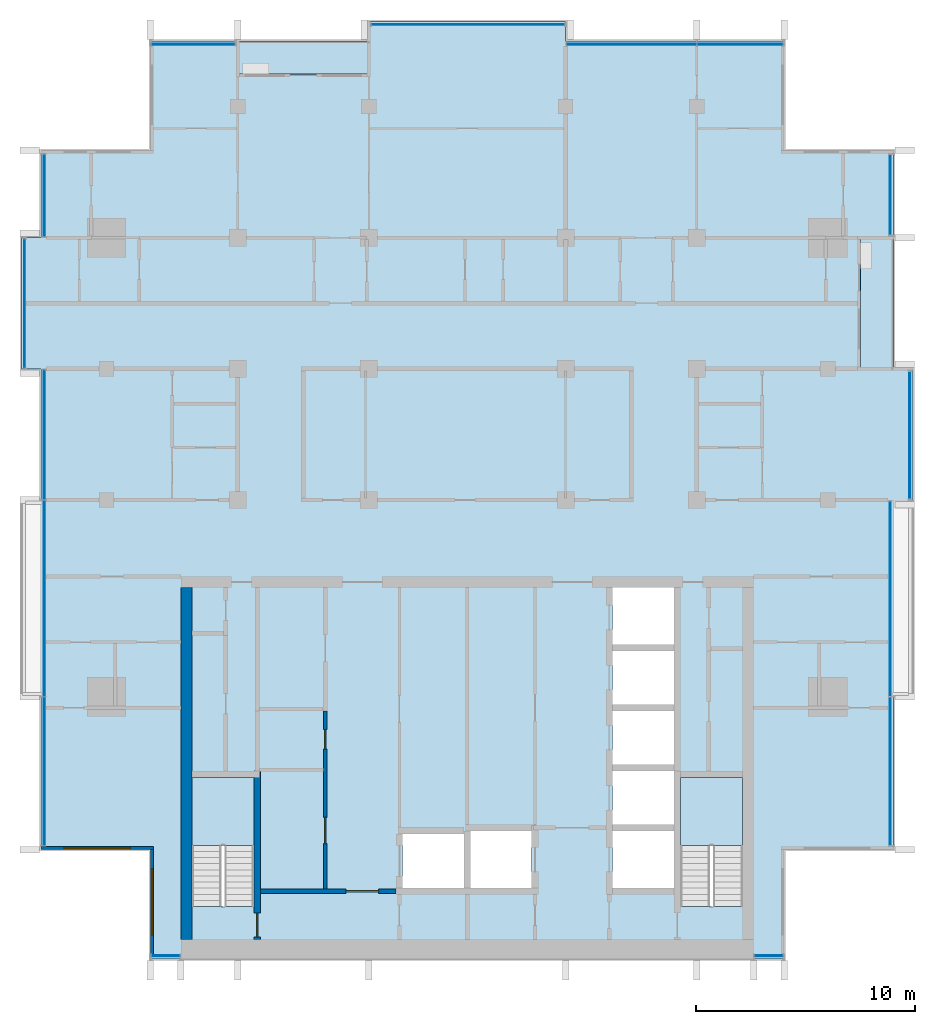
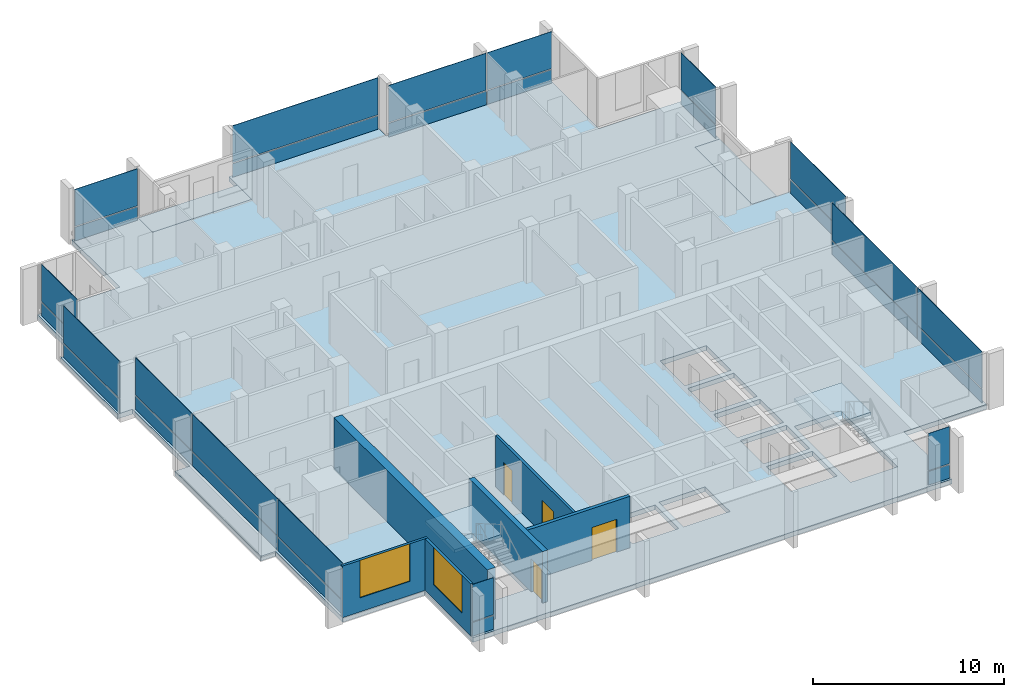
# One storey, part 6 of 16: 30 plates, 6 walls, 5 slabs, 4 doors, 2 windows, 6 openings, 13 elements without a shape of their own.
"""IFC4 building model written with IfcOpenShell, lengths in metres."""

from ifc_helpers import new_model, si_unit, direction, frame, frame_2d, origin, origin_2d, place, context, subcontext, project, spatial, polyline, rectangle, outline, extrude, material, layer, layer_set, type_object, element, fill, aggregate, save


model = new_model("IFC4")

# Units and contexts
model_context = context("Model", 3, precision=1e-05, world=origin(), true_north=direction((0.0, 1.0)))
body_context = subcontext(model_context, "Body", "Model", "MODEL_VIEW")
ifc_project = project(units=[si_unit("LENGTHUNIT", "METRE"), si_unit("AREAUNIT", "SQUARE_METRE"), si_unit("VOLUMEUNIT", "CUBIC_METRE"), si_unit("PLANEANGLEUNIT", "RADIAN"), si_unit("MASSUNIT", "GRAM", prefix="KILO")], contexts=[model_context])

# Site, building, storey
site_placement = place(None, origin())
site = spatial("IfcSite", under=ifc_project, at=site_placement, CompositionType="ELEMENT")
building_placement = place(site_placement, origin())
building = spatial("IfcBuilding", under=site, at=building_placement, Name="Finial Court Residences", CompositionType="ELEMENT")
storey_placement = place(building_placement, frame((0.0, 0.0, 280.699951171875)))
storey = spatial("IfcBuildingStorey", under=building, at=storey_placement, Name="L71", CompositionType="ELEMENT", Elevation=280.699951171875)

# Slabs
ifc_material_1 = material(Name="Concrete C35/45", Category="concrete")
ifc_layer_1 = layer(ifc_material_1, 0.199951171875)
ifc_layer_set_1 = layer_set([ifc_layer_1], Name="Balcony slab, Concrete C35/45 200")
slab_type_1 = type_object("IfcSlabType", Name="Balcony slab, Concrete C35/45 200", PredefinedType="FLOOR", material=ifc_layer_set_1)
slab_1_placement = place(storey_placement, frame((0.0, 0.0, -0.199951171875)))
element("IfcSlab", 1, at=slab_1_placement, inside=storey, type_object=slab_type_1, Name="Balcony L71-N2", PredefinedType="FLOOR", context=body_context, shape_type="SweptSolid", body=[
    extrude(outline(polyline([(-4.5, 15.0), (-4.5, 16.5), (-10.5, 16.5), (-10.5, 15.0), (-4.5, 15.0)])), origin(), (0.0, 0.0, 1.0), 0.199951171875),
])
slab_2_placement = place(storey_placement, frame((0.0, 0.0, -0.199951171875)))
element("IfcSlab", 2, at=slab_2_placement, inside=storey, type_object=slab_type_1, Name="Balcony L71-E4", PredefinedType="FLOOR", context=body_context, shape_type="SweptSolid", body=[
    extrude(outline(polyline([(19.5, 1.5), (19.5, 7.5), (18.0, 7.5), (18.0, 1.5), (19.5, 1.5)])), origin(), (0.0, 0.0, 1.0), 0.199951171875),
])

# Curtain wall, plate
ifc_material_2 = material(Name="Bronze anodised aluminium", Category="aluminium")
curtain_wall_type = type_object("IfcCurtainWallType", Name="Unitised curtain wall, upper zones", PredefinedType="NOTDEFINED", material=ifc_material_2)
curtain_wall_1_placement = place(storey_placement, origin())
curtain_wall_1 = element("IfcCurtainWall", 3, at=curtain_wall_1_placement, inside=storey, type_object=curtain_wall_type, Name="E-L71-CW-N1", PredefinedType="NOTDEFINED")
ifc_layer_2 = layer(ifc_material_2, 0.035888671875)
ifc_layer_set_2 = layer_set([ifc_layer_2], Name="CW2 spandrel panel 36")
plate_type_1 = type_object("IfcPlateType", Name="CW2 spandrel panel 36", PredefinedType="CURTAIN_PANEL", material=ifc_layer_set_2)
plate_1_placement = place(storey_placement, frame((-12.53759765625, 16.35009765625, 0.0), z_axis=(0.0, 0.0, 1.0), x_axis=(1.0, 0.0, 0.0)))
plate_1 = element("IfcPlate", 4, at=plate_1_placement, type_object=plate_type_1, Name="CW2 spandrel 1.1", PredefinedType="CURTAIN_PANEL", context=body_context, shape_type="SweptSolid", body=[
    extrude(rectangle(XDim=3.804931640625, YDim=0.035888671875, at=origin_2d()), origin(), (0.0, 0.0, 1.0), 0.8701171875),
])

curtain_wall_2_placement = place(storey_placement, origin())
curtain_wall_2 = element("IfcCurtainWall", 5, at=curtain_wall_2_placement, inside=storey, type_object=curtain_wall_type, Name="E-L71-CW-N2", PredefinedType="NOTDEFINED")
plate_2_placement = place(storey_placement, frame((0.03759765625, 17.25, 0.0), z_axis=(0.0, 0.0, 1.0), x_axis=(1.0, 0.0, 0.0)))
plate_2 = element("IfcPlate", 6, at=plate_2_placement, type_object=plate_type_1, Name="CW2 spandrel 1.1", PredefinedType="CURTAIN_PANEL", context=body_context, shape_type="SweptSolid", body=[
    extrude(rectangle(XDim=8.804931640625, YDim=0.035888671875, at=origin_2d()), origin(), (0.0, 0.0, 1.0), 0.8701171875),
])

# Curtain wall, plates
curtain_wall_3_placement = place(storey_placement, origin())
curtain_wall_3 = element("IfcCurtainWall", 7, at=curtain_wall_3_placement, inside=storey, type_object=curtain_wall_type, Name="E-L71-CW-N3", PredefinedType="NOTDEFINED")
plate_3_placement = place(storey_placement, frame((7.514892578125, 16.35009765625, 0.0), z_axis=(0.0, 0.0, 1.0), x_axis=(1.0, 0.0, 0.0)))
plate_3 = element("IfcPlate", 8, at=plate_3_placement, type_object=plate_type_1, Name="CW2 spandrel 1.1", PredefinedType="CURTAIN_PANEL", context=body_context, shape_type="SweptSolid", body=[
    extrude(rectangle(XDim=5.909912109375, YDim=0.035888671875, at=origin_2d()), origin(), (0.0, 0.0, 1.0), 0.8701171875),
])
plate_4_placement = place(storey_placement, frame((12.485107421875, 16.35009765625, 0.0), z_axis=(0.0, 0.0, 1.0), x_axis=(1.0, 0.0, 0.0)))
plate_4 = element("IfcPlate", 9, at=plate_4_placement, type_object=plate_type_1, Name="CW2 spandrel 2.1", PredefinedType="CURTAIN_PANEL", context=body_context, shape_type="SweptSolid", body=[
    extrude(rectangle(XDim=3.909912109375, YDim=0.035888671875, at=origin_2d()), origin(), (0.0, 0.0, 1.0), 0.8701171875),
])

curtain_wall_4_placement = place(storey_placement, origin())
curtain_wall_4 = element("IfcCurtainWall", 10, at=curtain_wall_4_placement, inside=storey, type_object=curtain_wall_type, Name="E-L71-CW-E4", PredefinedType="NOTDEFINED")
plate_5_placement = place(storey_placement, frame((19.35009765625, -16.909912109375, 0.0), z_axis=(0.0, 0.0, 1.0), x_axis=(0.0, 1.0, 0.0)))
plate_5 = element("IfcPlate", 11, at=plate_5_placement, type_object=plate_type_1, Name="CW2 spandrel 1.1", PredefinedType="CURTAIN_PANEL", context=body_context, shape_type="SweptSolid", body=[
    extrude(rectangle(XDim=6.760009765625, YDim=0.035888671875, at=origin_2d()), origin(), (0.0, 0.0, 1.0), 0.8701171875),
])
plate_6_placement = place(storey_placement, frame((19.35009765625, -9.014892578125, 0.0), z_axis=(0.0, 0.0, 1.0), x_axis=(0.0, 1.0, 0.0)))
plate_6 = element("IfcPlate", 12, at=plate_6_placement, type_object=plate_type_1, Name="CW2 spandrel 2.1", PredefinedType="CURTAIN_PANEL", context=body_context, shape_type="SweptSolid", body=[
    extrude(rectangle(XDim=8.909912109375, YDim=0.035888671875, at=origin_2d()), origin(), (0.0, 0.0, 1.0), 0.8701171875),
])

# Curtain wall, plate
curtain_wall_5_placement = place(storey_placement, origin())
curtain_wall_5 = element("IfcCurtainWall", 13, at=curtain_wall_5_placement, inside=storey, type_object=curtain_wall_type, Name="E-L71-CW-E5", PredefinedType="NOTDEFINED")
plate_7_placement = place(storey_placement, frame((20.25, -1.53759765625, 0.0), z_axis=(0.0, 0.0, 1.0), x_axis=(0.0, 1.0, 0.0)))
plate_7 = element("IfcPlate", 14, at=plate_7_placement, type_object=plate_type_1, Name="CW2 spandrel 1.1", PredefinedType="CURTAIN_PANEL", context=body_context, shape_type="SweptSolid", body=[
    extrude(rectangle(XDim=5.804931640625, YDim=0.035888671875, at=origin_2d()), origin(), (0.0, 0.0, 1.0), 0.8701171875),
])

curtain_wall_6_placement = place(storey_placement, origin())
curtain_wall_6 = element("IfcCurtainWall", 15, at=curtain_wall_6_placement, inside=storey, type_object=curtain_wall_type, Name="E-L71-CW-E6", PredefinedType="NOTDEFINED")
plate_8_placement = place(storey_placement, frame((19.35009765625, 9.46240234375, 0.0), z_axis=(0.0, 0.0, 1.0), x_axis=(0.0, 1.0, 0.0)))
plate_8 = element("IfcPlate", 16, at=plate_8_placement, type_object=plate_type_1, Name="CW2 spandrel 1.1", PredefinedType="CURTAIN_PANEL", context=body_context, shape_type="SweptSolid", body=[
    extrude(rectangle(XDim=3.655029296875, YDim=0.035888671875, at=origin_2d()), origin(), (0.0, 0.0, 1.0), 0.8701171875),
])

curtain_wall_7_placement = place(storey_placement, origin())
curtain_wall_7 = element("IfcCurtainWall", 17, at=curtain_wall_7_placement, inside=storey, type_object=curtain_wall_type, Name="E-L71-CW-S7", PredefinedType="NOTDEFINED")
plate_9_placement = place(storey_placement, frame((-13.800048828125, -25.35009765625, 0.0), z_axis=(0.0, 0.0, 1.0), x_axis=(1.0, 0.0, 0.0)))
plate_9 = element("IfcPlate", 18, at=plate_9_placement, type_object=plate_type_1, Name="CW2 spandrel 1.1", PredefinedType="CURTAIN_PANEL", context=body_context, shape_type="SweptSolid", body=[
    extrude(rectangle(XDim=1.280029296875, YDim=0.035888671875, at=origin_2d()), origin(), (0.0, 0.0, 1.0), 0.8701171875),
])

curtain_wall_8_placement = place(storey_placement, origin())
curtain_wall_8 = element("IfcCurtainWall", 19, at=curtain_wall_8_placement, inside=storey, type_object=curtain_wall_type, Name="E-L71-CW-S8", PredefinedType="NOTDEFINED")
plate_10_placement = place(storey_placement, frame((13.800048828125, -25.35009765625, 0.0), z_axis=(0.0, 0.0, 1.0), x_axis=(1.0, 0.0, 0.0)))
plate_10 = element("IfcPlate", 20, at=plate_10_placement, type_object=plate_type_1, Name="CW2 spandrel 1.1", PredefinedType="CURTAIN_PANEL", context=body_context, shape_type="SweptSolid", body=[
    extrude(rectangle(XDim=1.280029296875, YDim=0.035888671875, at=origin_2d()), origin(), (0.0, 0.0, 1.0), 0.8701171875),
])

# Curtain wall, plates
curtain_wall_9_placement = place(storey_placement, origin())
curtain_wall_9 = element("IfcCurtainWall", 21, at=curtain_wall_9_placement, inside=storey, type_object=curtain_wall_type, Name="E-L71-CW-W9", PredefinedType="NOTDEFINED")
plate_11_placement = place(storey_placement, frame((-19.35009765625, -16.909912109375, 0.0), z_axis=(0.0, 0.0, 1.0), x_axis=(0.0, 1.0, 0.0)))
plate_11 = element("IfcPlate", 22, at=plate_11_placement, type_object=plate_type_1, Name="CW2 spandrel 1.1", PredefinedType="CURTAIN_PANEL", context=body_context, shape_type="SweptSolid", body=[
    extrude(rectangle(XDim=6.760009765625, YDim=0.035888671875, at=origin_2d()), origin(), (0.0, 0.0, 1.0), 0.8701171875),
])
plate_12_placement = place(storey_placement, frame((-19.35009765625, -9.0, 0.0), z_axis=(0.0, 0.0, 1.0), x_axis=(0.0, 1.0, 0.0)))
plate_12 = element("IfcPlate", 23, at=plate_12_placement, type_object=plate_type_1, Name="CW2 spandrel 2.1", PredefinedType="CURTAIN_PANEL", context=body_context, shape_type="SweptSolid", body=[
    extrude(rectangle(XDim=8.93994140625, YDim=0.035888671875, at=origin_2d()), origin(), (0.0, 0.0, 1.0), 0.8701171875),
])
plate_13_placement = place(storey_placement, frame((-19.35009765625, -1.514892578125, 0.0), z_axis=(0.0, 0.0, 1.0), x_axis=(0.0, 1.0, 0.0)))
plate_13 = element("IfcPlate", 24, at=plate_13_placement, type_object=plate_type_1, Name="CW2 spandrel 3.1", PredefinedType="CURTAIN_PANEL", context=body_context, shape_type="SweptSolid", body=[
    extrude(rectangle(XDim=5.909912109375, YDim=0.035888671875, at=origin_2d()), origin(), (0.0, 0.0, 1.0), 0.8701171875),
])

# Curtain wall, plate
curtain_wall_10_placement = place(storey_placement, origin())
curtain_wall_10 = element("IfcCurtainWall", 25, at=curtain_wall_10_placement, inside=storey, type_object=curtain_wall_type, Name="E-L71-CW-W10", PredefinedType="NOTDEFINED")
plate_14_placement = place(storey_placement, frame((-20.25, 4.5, 0.0), z_axis=(0.0, 0.0, 1.0), x_axis=(0.0, 1.0, 0.0)))
plate_14 = element("IfcPlate", 26, at=plate_14_placement, type_object=plate_type_1, Name="CW2 spandrel 1.1", PredefinedType="CURTAIN_PANEL", context=body_context, shape_type="SweptSolid", body=[
    extrude(rectangle(XDim=5.8798828125, YDim=0.035888671875, at=origin_2d()), origin(), (0.0, 0.0, 1.0), 0.8701171875),
])

curtain_wall_11_placement = place(storey_placement, origin())
curtain_wall_11 = element("IfcCurtainWall", 27, at=curtain_wall_11_placement, inside=storey, type_object=curtain_wall_type, Name="E-L71-CW-W11", PredefinedType="NOTDEFINED")
plate_15_placement = place(storey_placement, frame((-19.35009765625, 9.425048828125, 0.0), z_axis=(0.0, 0.0, 1.0), x_axis=(0.0, 1.0, 0.0)))
plate_15 = element("IfcPlate", 28, at=plate_15_placement, type_object=plate_type_1, Name="CW2 spandrel 1.1", PredefinedType="CURTAIN_PANEL", context=body_context, shape_type="SweptSolid", body=[
    extrude(rectangle(XDim=3.72998046875, YDim=0.035888671875, at=origin_2d()), origin(), (0.0, 0.0, 1.0), 0.8701171875),
])

# Plate
ifc_material_3 = material(Name="Clear low-e glass", Category="glass")
ifc_layer_3 = layer(ifc_material_3, 0.030029296875)
ifc_layer_set_3 = layer_set([ifc_layer_3], Name="CW2 vision glass 30")
plate_type_2 = type_object("IfcPlateType", Name="CW2 vision glass 30", PredefinedType="CURTAIN_PANEL", material=ifc_layer_set_3)
plate_16_placement = place(storey_placement, frame((-12.53759765625, 16.35009765625, 0.929931640625), z_axis=(0.0, 0.0, 1.0), x_axis=(1.0, 0.0, 0.0)))
plate_16 = element("IfcPlate", 29, at=plate_16_placement, type_object=plate_type_2, Name="CW2 glass 1.2", PredefinedType="CURTAIN_PANEL", context=body_context, shape_type="SweptSolid", body=[
    extrude(rectangle(XDim=3.804931640625, YDim=0.030029296875, at=origin_2d()), origin(), (0.0, 0.0, 1.0), 2.3701171875),
])

aggregate(curtain_wall_1, [plate_1, plate_16])

plate_17_placement = place(storey_placement, frame((0.03759765625, 17.25, 0.929931640625), z_axis=(0.0, 0.0, 1.0), x_axis=(1.0, 0.0, 0.0)))
plate_17 = element("IfcPlate", 30, at=plate_17_placement, type_object=plate_type_2, Name="CW2 glass 1.2", PredefinedType="CURTAIN_PANEL", context=body_context, shape_type="SweptSolid", body=[
    extrude(rectangle(XDim=8.804931640625, YDim=0.030029296875, at=origin_2d()), origin(), (0.0, 0.0, 1.0), 2.3701171875),
])

aggregate(curtain_wall_2, [plate_2, plate_17])

plate_18_placement = place(storey_placement, frame((7.514892578125, 16.35009765625, 0.929931640625), z_axis=(0.0, 0.0, 1.0), x_axis=(1.0, 0.0, 0.0)))
plate_18 = element("IfcPlate", 31, at=plate_18_placement, type_object=plate_type_2, Name="CW2 glass 1.2", PredefinedType="CURTAIN_PANEL", context=body_context, shape_type="SweptSolid", body=[
    extrude(rectangle(XDim=5.909912109375, YDim=0.030029296875, at=origin_2d()), origin(), (0.0, 0.0, 1.0), 2.3701171875),
])

plate_19_placement = place(storey_placement, frame((12.485107421875, 16.35009765625, 0.929931640625), z_axis=(0.0, 0.0, 1.0), x_axis=(1.0, 0.0, 0.0)))
plate_19 = element("IfcPlate", 32, at=plate_19_placement, type_object=plate_type_2, Name="CW2 glass 2.2", PredefinedType="CURTAIN_PANEL", context=body_context, shape_type="SweptSolid", body=[
    extrude(rectangle(XDim=3.909912109375, YDim=0.030029296875, at=origin_2d()), origin(), (0.0, 0.0, 1.0), 2.3701171875),
])

aggregate(curtain_wall_3, [plate_3, plate_18, plate_4, plate_19])

plate_20_placement = place(storey_placement, frame((19.35009765625, -16.909912109375, 0.929931640625), z_axis=(0.0, 0.0, 1.0), x_axis=(0.0, 1.0, 0.0)))
plate_20 = element("IfcPlate", 33, at=plate_20_placement, type_object=plate_type_2, Name="CW2 glass 1.2", PredefinedType="CURTAIN_PANEL", context=body_context, shape_type="SweptSolid", body=[
    extrude(rectangle(XDim=6.760009765625, YDim=0.030029296875, at=origin_2d()), origin(), (0.0, 0.0, 1.0), 2.3701171875),
])

plate_21_placement = place(storey_placement, frame((19.35009765625, -9.014892578125, 0.929931640625), z_axis=(0.0, 0.0, 1.0), x_axis=(0.0, 1.0, 0.0)))
plate_21 = element("IfcPlate", 34, at=plate_21_placement, type_object=plate_type_2, Name="CW2 glass 2.2", PredefinedType="CURTAIN_PANEL", context=body_context, shape_type="SweptSolid", body=[
    extrude(rectangle(XDim=8.909912109375, YDim=0.030029296875, at=origin_2d()), origin(), (0.0, 0.0, 1.0), 2.3701171875),
])

aggregate(curtain_wall_4, [plate_5, plate_20, plate_6, plate_21])

plate_22_placement = place(storey_placement, frame((20.25, -1.53759765625, 0.929931640625), z_axis=(0.0, 0.0, 1.0), x_axis=(0.0, 1.0, 0.0)))
plate_22 = element("IfcPlate", 35, at=plate_22_placement, type_object=plate_type_2, Name="CW2 glass 1.2", PredefinedType="CURTAIN_PANEL", context=body_context, shape_type="SweptSolid", body=[
    extrude(rectangle(XDim=5.804931640625, YDim=0.030029296875, at=origin_2d()), origin(), (0.0, 0.0, 1.0), 2.3701171875),
])

aggregate(curtain_wall_5, [plate_7, plate_22])

plate_23_placement = place(storey_placement, frame((19.35009765625, 9.46240234375, 0.929931640625), z_axis=(0.0, 0.0, 1.0), x_axis=(0.0, 1.0, 0.0)))
plate_23 = element("IfcPlate", 36, at=plate_23_placement, type_object=plate_type_2, Name="CW2 glass 1.2", PredefinedType="CURTAIN_PANEL", context=body_context, shape_type="SweptSolid", body=[
    extrude(rectangle(XDim=3.655029296875, YDim=0.030029296875, at=origin_2d()), origin(), (0.0, 0.0, 1.0), 2.3701171875),
])

aggregate(curtain_wall_6, [plate_8, plate_23])

plate_24_placement = place(storey_placement, frame((-13.800048828125, -25.35009765625, 0.929931640625), z_axis=(0.0, 0.0, 1.0), x_axis=(1.0, 0.0, 0.0)))
plate_24 = element("IfcPlate", 37, at=plate_24_placement, type_object=plate_type_2, Name="CW2 glass 1.2", PredefinedType="CURTAIN_PANEL", context=body_context, shape_type="SweptSolid", body=[
    extrude(rectangle(XDim=1.280029296875, YDim=0.030029296875, at=origin_2d()), origin(), (0.0, 0.0, 1.0), 2.3701171875),
])

aggregate(curtain_wall_7, [plate_9, plate_24])

plate_25_placement = place(storey_placement, frame((13.800048828125, -25.35009765625, 0.929931640625), z_axis=(0.0, 0.0, 1.0), x_axis=(1.0, 0.0, 0.0)))
plate_25 = element("IfcPlate", 38, at=plate_25_placement, type_object=plate_type_2, Name="CW2 glass 1.2", PredefinedType="CURTAIN_PANEL", context=body_context, shape_type="SweptSolid", body=[
    extrude(rectangle(XDim=1.280029296875, YDim=0.030029296875, at=origin_2d()), origin(), (0.0, 0.0, 1.0), 2.3701171875),
])

aggregate(curtain_wall_8, [plate_10, plate_25])

plate_26_placement = place(storey_placement, frame((-19.35009765625, -16.909912109375, 0.929931640625), z_axis=(0.0, 0.0, 1.0), x_axis=(0.0, 1.0, 0.0)))
plate_26 = element("IfcPlate", 39, at=plate_26_placement, type_object=plate_type_2, Name="CW2 glass 1.2", PredefinedType="CURTAIN_PANEL", context=body_context, shape_type="SweptSolid", body=[
    extrude(rectangle(XDim=6.760009765625, YDim=0.030029296875, at=origin_2d()), origin(), (0.0, 0.0, 1.0), 2.3701171875),
])

plate_27_placement = place(storey_placement, frame((-19.35009765625, -9.0, 0.929931640625), z_axis=(0.0, 0.0, 1.0), x_axis=(0.0, 1.0, 0.0)))
plate_27 = element("IfcPlate", 40, at=plate_27_placement, type_object=plate_type_2, Name="CW2 glass 2.2", PredefinedType="CURTAIN_PANEL", context=body_context, shape_type="SweptSolid", body=[
    extrude(rectangle(XDim=8.93994140625, YDim=0.030029296875, at=origin_2d()), origin(), (0.0, 0.0, 1.0), 2.3701171875),
])

plate_28_placement = place(storey_placement, frame((-19.35009765625, -1.514892578125, 0.929931640625), z_axis=(0.0, 0.0, 1.0), x_axis=(0.0, 1.0, 0.0)))
plate_28 = element("IfcPlate", 41, at=plate_28_placement, type_object=plate_type_2, Name="CW2 glass 3.2", PredefinedType="CURTAIN_PANEL", context=body_context, shape_type="SweptSolid", body=[
    extrude(rectangle(XDim=5.909912109375, YDim=0.030029296875, at=origin_2d()), origin(), (0.0, 0.0, 1.0), 2.3701171875),
])

aggregate(curtain_wall_9, [plate_11, plate_26, plate_12, plate_27, plate_13, plate_28])

plate_29_placement = place(storey_placement, frame((-20.25, 4.5, 0.929931640625), z_axis=(0.0, 0.0, 1.0), x_axis=(0.0, 1.0, 0.0)))
plate_29 = element("IfcPlate", 42, at=plate_29_placement, type_object=plate_type_2, Name="CW2 glass 1.2", PredefinedType="CURTAIN_PANEL", context=body_context, shape_type="SweptSolid", body=[
    extrude(rectangle(XDim=5.8798828125, YDim=0.030029296875, at=origin_2d()), origin(), (0.0, 0.0, 1.0), 2.3701171875),
])

aggregate(curtain_wall_10, [plate_14, plate_29])

plate_30_placement = place(storey_placement, frame((-19.35009765625, 9.425048828125, 0.929931640625), z_axis=(0.0, 0.0, 1.0), x_axis=(0.0, 1.0, 0.0)))
plate_30 = element("IfcPlate", 43, at=plate_30_placement, type_object=plate_type_2, Name="CW2 glass 1.2", PredefinedType="CURTAIN_PANEL", context=body_context, shape_type="SweptSolid", body=[
    extrude(rectangle(XDim=3.72998046875, YDim=0.030029296875, at=origin_2d()), origin(), (0.0, 0.0, 1.0), 2.3701171875),
])

aggregate(curtain_wall_11, [plate_15, plate_30])

# Stair, slab
ifc_material_4 = material(Name="Concrete C50/60", Category="concrete")
stair_type = type_object("IfcStairType", Name="Exit stair 22 risers of 163.6 mm", PredefinedType="HALF_TURN_STAIR", material=ifc_material_4)
stair_1_placement = place(storey_placement, origin())
stair_1 = element("IfcStair", 44, at=stair_1_placement, inside=storey, type_object=stair_type, Name="L71 Exit stair ST-1", PredefinedType="HALF_TURN_STAIR")
ifc_layer_4 = layer(ifc_material_4, 0.199951171875)
ifc_layer_set_4 = layer_set([ifc_layer_4], Name="Exit stair landing")
slab_type_2 = type_object("IfcSlabType", Name="Exit stair landing", PredefinedType="LANDING", material=ifc_layer_set_4)
slab_3_placement = place(storey_placement, frame((0.0, 0.0, 1.60009765625)))
slab_3 = element("IfcSlab", 45, at=slab_3_placement, type_object=slab_type_2, Name="ST-1 landing 1", PredefinedType="LANDING", context=body_context, shape_type="SweptSolid", body=[
    extrude(outline(polyline([(-9.75, -20.300048828125), (-9.75, -17.199951171875), (-12.60009765625, -17.199951171875), (-12.60009765625, -20.300048828125), (-9.75, -20.300048828125)])), origin(), (0.0, 0.0, 1.0), 0.199951171875),
])
aggregate(stair_1, [slab_3])

stair_2_placement = place(storey_placement, origin())
stair_2 = element("IfcStair", 46, at=stair_2_placement, inside=storey, type_object=stair_type, Name="L71 Exit stair ST-2", PredefinedType="HALF_TURN_STAIR")
slab_4_placement = place(storey_placement, frame((0.0, 0.0, 1.60009765625)))
slab_4 = element("IfcSlab", 47, at=slab_4_placement, type_object=slab_type_2, Name="ST-2 landing 1", PredefinedType="LANDING", context=body_context, shape_type="SweptSolid", body=[
    extrude(outline(polyline([(12.60009765625, -20.300048828125), (12.60009765625, -17.199951171875), (9.75, -17.199951171875), (9.75, -20.300048828125), (12.60009765625, -20.300048828125)])), origin(), (0.0, 0.0, 1.0), 0.199951171875),
])
aggregate(stair_2, [slab_4])

# Slab
ifc_material_5 = material(Name="Concrete C40/50", Category="concrete")
ifc_layer_5 = layer(ifc_material_5, 0.300048828125)
ifc_layer_set_5 = layer_set([ifc_layer_5], Name="Flat plate slab 300 Concrete C40/50")
slab_type_3 = type_object("IfcSlabType", Name="Flat plate slab 300 Concrete C40/50", PredefinedType="FLOOR", material=ifc_layer_set_5)
slab_5_placement = place(storey_placement, frame((0.0, 0.0, -0.300048828125)))
element("IfcSlab", 48, at=slab_5_placement, inside=storey, type_object=slab_type_3, Name="S:SLAB:L71", PredefinedType="FLOOR", context=body_context, shape_type="SweptSolid", body=[
    extrude(outline(polyline([(-20.39990234375, -13.5), (-20.39990234375, -4.5), (-19.5, -4.5), (-19.5, 1.5), (-20.39990234375, 1.5), (-20.39990234375, 7.5), (-19.5, 7.5), (-19.5, 11.5), (-14.5, 11.5), (-14.5, 16.5), (-10.5, 16.5), (-10.5, 15.0), (-4.5, 15.0), (-4.5, 16.5), (-4.5, 17.39990234375), (4.5, 17.39990234375), (4.5, 16.5), (14.5, 16.5), (14.5, 11.5), (19.5, 11.5), (19.5, 7.5), (18.0, 7.5), (18.0, 1.5), (19.5, 1.5), (20.39990234375, 1.5), (20.39990234375, -4.5), (20.39990234375, -13.5), (19.5, -13.5), (19.5, -20.5), (14.5, -20.5), (14.5, -25.5), (-14.5, -25.5), (-14.5, -20.5), (-19.5, -20.5), (-19.5, -13.5), (-20.39990234375, -13.5)]), holes=[polyline([(-0.14990234375, -19.77001953125), (-2.949951171875, -19.77001953125), (-2.949951171875, -22.25), (-0.14990234375, -22.25), (-0.14990234375, -19.77001953125)]), polyline([(2.949951171875, -19.64990234375), (0.14990234375, -19.64990234375), (0.14990234375, -22.25), (2.949951171875, -22.25), (2.949951171875, -19.64990234375)]), polyline([(9.449951171875, -19.64990234375), (6.64990234375, -19.64990234375), (6.64990234375, -22.25), (9.449951171875, -22.25), (9.449951171875, -19.64990234375)]), polyline([(-12.60009765625, -17.199951171875), (-12.60009765625, -23.09912109375), (-9.75, -23.09912109375), (-9.75, -17.199951171875), (-12.60009765625, -17.199951171875)]), polyline([(9.75, -17.199951171875), (9.75, -23.09912109375), (12.60009765625, -23.09912109375), (12.60009765625, -17.199951171875), (9.75, -17.199951171875)]), polyline([(9.449951171875, -16.89990234375), (6.64990234375, -16.89990234375), (6.64990234375, -19.35009765625), (9.449951171875, -19.35009765625), (9.449951171875, -16.89990234375)]), polyline([(9.449951171875, -14.14990234375), (6.64990234375, -14.14990234375), (6.64990234375, -16.60009765625), (9.449951171875, -16.60009765625), (9.449951171875, -14.14990234375)]), polyline([(9.449951171875, -13.85009765625), (9.449951171875, -11.39990234375), (6.64990234375, -11.39990234375), (6.64990234375, -13.85009765625), (9.449951171875, -13.85009765625)]), polyline([(9.449951171875, -11.10009765625), (9.449951171875, -8.5), (6.64990234375, -8.5), (6.64990234375, -11.10009765625), (9.449951171875, -11.10009765625)])]), origin(), (0.0, 0.0, 1.0), 0.300048828125),
])

# Wall
ifc_layer_6 = layer(ifc_material_4, 0.5)
ifc_layer_set_6 = layer_set([ifc_layer_6], Name="Core outer wall 500 Concrete C50/60")
wall_type_1 = type_object("IfcWallType", Name="Core outer wall 500 Concrete C50/60", PredefinedType="SHEAR", material=ifc_layer_set_6)
wall_1_placement = place(storey_placement, frame((-12.85009765625, -24.60009765625, 0.0), z_axis=(0.0, 0.0, 1.0), x_axis=(0.0, 1.0, 0.0)))
element("IfcWall", 49, at=wall_1_placement, inside=storey, type_object=wall_type_1, Name="Core outer wall L71-03", PredefinedType="SHEAR", context=body_context, shape_type="SweptSolid", body=[
    extrude(rectangle(XDim=16.10009765625, YDim=0.5, at=frame_2d((8.050048828125, 0.0))), origin(), (0.0, 0.0, 1.0), 3.300048828125),
])

# Wall, openings, doors
ifc_material_6 = material(Name="Fire-rated gypsum board partition")
ifc_layer_7 = layer(ifc_material_6, 0.14990234375)
ifc_layer_set_7 = layer_set([ifc_layer_7], Name="Core room partition 150 EI 60")
wall_type_2 = type_object("IfcWallType", Name="Core room partition 150 EI 60", PredefinedType="PARTITIONING", material=ifc_layer_set_7)
wall_2_placement = place(storey_placement, frame((-6.5, -22.300048828125, 0.0), z_axis=(0.0, 0.0, 1.0), x_axis=(0.0, 1.0, 0.0)))
wall_2 = element("IfcWall", 50, at=wall_2_placement, inside=storey, type_object=wall_type_2, Name="Core partition L71-22", PredefinedType="PARTITIONING", context=body_context, shape_type="SweptSolid", body=[
    extrude(rectangle(XDim=8.14013671875, YDim=0.14990234375, at=frame_2d((4.070068359375, 0.0))), origin(), (0.0, 0.0, 1.0), 3.300048828125),
])
opening_1_placement = place(wall_2_placement, frame((2.080078125, 0.0, 0.0)))
opening_1 = element("IfcOpeningElement", 51, at=opening_1_placement, cuts=wall_2, Name="Opening L71-C15", PredefinedType="OPENING", context=body_context, shape_type="SweptSolid", body=[
    extrude(rectangle(XDim=1.199951171875, YDim=2.10009765625, at=frame_2d((0.60009765625, 1.050048828125))), frame((0.0, 0.0849609375, 0.0), z_axis=(0.0, -1.0, 0.0), x_axis=(1.0, 0.0, 0.0)), (0.0, 0.0, 1.0), 0.169921875),
])
opening_2_placement = place(wall_2_placement, frame((6.39990234375, 0.0, 0.0)))
opening_2 = element("IfcOpeningElement", 52, at=opening_2_placement, cuts=wall_2, Name="Opening L71-C16", PredefinedType="OPENING", context=body_context, shape_type="SweptSolid", body=[
    extrude(rectangle(XDim=0.89990234375, YDim=2.10009765625, at=frame_2d((0.449951171875, 1.050048828125))), frame((0.0, 0.0849609375, 0.0), z_axis=(0.0, -1.0, 0.0), x_axis=(1.0, 0.0, 0.0)), (0.0, 0.0, 1.0), 0.169921875),
])
ifc_material_7 = material(Name="Steel fire door", Category="steel")
door_type_1 = type_object("IfcDoorType", Name="Core room door 1200 x 2100 EI 60", OperationType="NOTDEFINED", PredefinedType="DOOR", material=ifc_material_7)
door_1_placement = place(opening_1_placement, origin())
door_1 = element("IfcDoor", 53, at=door_1_placement, inside=storey, type_object=door_type_1, Name="Core room door L71-C15", OperationType="SINGLE_SWING_LEFT", OverallHeight=2.10009765625, OverallWidth=1.199951171875, PredefinedType="DOOR", context=body_context, shape_type="SweptSolid", body=[
    extrude(rectangle(XDim=1.199951171875, YDim=2.10009765625, at=frame_2d((0.60009765625, 1.050048828125))), frame((0.0, 0.02490234375, 0.0), z_axis=(0.0, -1.0, 0.0), x_axis=(1.0, 0.0, 0.0)), (0.0, 0.0, 1.0), 0.050048828125),
])
fill(opening_1, door_1)
door_type_2 = type_object("IfcDoorType", Name="Core room door 900 x 2100 EI 60", OperationType="NOTDEFINED", PredefinedType="DOOR", material=ifc_material_7)
door_2_placement = place(opening_2_placement, origin())
door_2 = element("IfcDoor", 54, at=door_2_placement, inside=storey, type_object=door_type_2, Name="Core room door L71-C16", OperationType="SINGLE_SWING_RIGHT", OverallHeight=2.10009765625, OverallWidth=0.89990234375, PredefinedType="DOOR", context=body_context, shape_type="SweptSolid", body=[
    extrude(rectangle(XDim=0.89990234375, YDim=2.10009765625, at=frame_2d((0.449951171875, 1.050048828125))), frame((0.0, 0.02490234375, 0.0), z_axis=(0.0, -1.0, 0.0), x_axis=(1.0, 0.0, 0.0)), (0.0, 0.0, 1.0), 0.050048828125),
])
fill(opening_2, door_2)

# Wall, opening, door
ifc_layer_8 = layer(ifc_material_4, 0.300048828125)
ifc_layer_set_8 = layer_set([ifc_layer_8], Name="Lift shaft and stair wall 300 Concrete C50/60")
wall_type_3 = type_object("IfcWallType", Name="Lift shaft and stair wall 300 Concrete C50/60", PredefinedType="SHEAR", material=ifc_layer_set_8)
wall_3_placement = place(storey_placement, frame((-9.60009765625, -24.60009765625, 0.0), z_axis=(0.0, 0.0, 1.0), x_axis=(0.0, 1.0, 0.0)))
wall_3 = element("IfcWall", 55, at=wall_3_placement, inside=storey, type_object=wall_type_3, Name="Core wall L71-19", PredefinedType="SHEAR", context=body_context, shape_type="SweptSolid", body=[
    extrude(rectangle(XDim=7.7001953125, YDim=0.300048828125, at=frame_2d((3.85009765625, 0.0))), origin(), (0.0, 0.0, 1.0), 3.300048828125),
])
opening_3_placement = place(wall_3_placement, frame((0.10009765625, 0.0, 0.0)))
opening_3 = element("IfcOpeningElement", 56, at=opening_3_placement, cuts=wall_3, Name="Opening L71-C19", PredefinedType="OPENING", context=body_context, shape_type="SweptSolid", body=[
    extrude(rectangle(XDim=1.10009765625, YDim=2.10009765625, at=frame_2d((0.550048828125, 1.050048828125))), frame((0.0, 0.159912109375, 0.0), z_axis=(0.0, -1.0, 0.0), x_axis=(1.0, 0.0, 0.0)), (0.0, 0.0, 1.0), 0.320068359375),
])
door_type_3 = type_object("IfcDoorType", Name="Stair door 1100 x 2100 EI 90", OperationType="NOTDEFINED", PredefinedType="DOOR", material=ifc_material_7)
door_3_placement = place(opening_3_placement, origin())
door_3 = element("IfcDoor", 57, at=door_3_placement, inside=storey, type_object=door_type_3, Name="Stair door L71-C19", OperationType="SINGLE_SWING_LEFT", OverallHeight=2.10009765625, OverallWidth=1.10009765625, PredefinedType="DOOR", context=body_context, shape_type="SweptSolid", body=[
    extrude(rectangle(XDim=1.10009765625, YDim=2.10009765625, at=frame_2d((0.550048828125, 1.050048828125))), frame((0.0, 0.02490234375, 0.0), z_axis=(0.0, -1.0, 0.0), x_axis=(1.0, 0.0, 0.0)), (0.0, 0.0, 1.0), 0.050048828125),
])
fill(opening_3, door_3)

# Wall, opening, window
ifc_material_8 = material(Name="Natural limestone", Category="masonry")
ifc_layer_9 = layer(ifc_material_8, 0.14990234375)
ifc_layer_set_9 = layer_set([ifc_layer_9], Name="Limestone clad wall 150")
wall_type_4 = type_object("IfcWallType", Name="Limestone clad wall 150", PredefinedType="SOLIDWALL", material=ifc_layer_set_9)
wall_4_placement = place(storey_placement, frame((-14.425048828125, -25.262451171875, 0.0), z_axis=(0.0, 0.0, 1.0), x_axis=(0.0, 1.0, 0.0)))
wall_4 = element("IfcWall", 58, at=wall_4_placement, inside=storey, type_object=wall_type_4, Name="E-L71-NWW12", PredefinedType="SOLIDWALL", context=body_context, shape_type="SweptSolid", body=[
    extrude(rectangle(XDim=4.762451171875, YDim=0.14990234375, at=frame_2d((2.38134765625, 0.0))), origin(), (0.0, 0.0, 1.0), 3.300048828125),
])
opening_4_placement = place(wall_4_placement, frame((0.881103515625, 0.0, 0.89990234375)))
opening_4 = element("IfcOpeningElement", 59, at=opening_4_placement, cuts=wall_4, Name="Opening WE71-01", PredefinedType="OPENING", context=body_context, shape_type="SweptSolid", body=[
    extrude(rectangle(XDim=3.0, YDim=2.39990234375, at=frame_2d((1.5, 1.199951171875))), frame((0.0, 0.0849609375, 0.0), z_axis=(0.0, -1.0, 0.0), x_axis=(1.0, 0.0, 0.0)), (0.0, 0.0, 1.0), 0.169921875),
])
window_type = type_object("IfcWindowType", Name="Corner window 3000 x 2400", PartitioningType="SINGLE_PANEL", PredefinedType="WINDOW", material=ifc_material_3)
window_1_placement = place(opening_4_placement, origin())
window_1 = element("IfcWindow", 60, at=window_1_placement, inside=storey, type_object=window_type, Name="E-L71-NWW12-W1", OverallHeight=2.39990234375, OverallWidth=3.0, PartitioningType="SINGLE_PANEL", PredefinedType="WINDOW", context=body_context, shape_type="SweptSolid", body=[
    extrude(rectangle(XDim=3.0, YDim=2.39990234375, at=frame_2d((1.5, 1.199951171875))), frame((0.0, 0.030029296875, 0.0), z_axis=(0.0, -1.0, 0.0), x_axis=(1.0, 0.0, 0.0)), (0.0, 0.0, 1.0), 0.06005859375),
])
fill(opening_4, window_1)

wall_5_placement = place(storey_placement, frame((-14.35009765625, -20.425048828125, 0.0), z_axis=(0.0, 0.0, 1.0), x_axis=(-1.0, 0.0, 0.0)))
wall_5 = element("IfcWall", 61, at=wall_5_placement, inside=storey, type_object=wall_type_4, Name="E-L71-NWS13", PredefinedType="SOLIDWALL", context=body_context, shape_type="SweptSolid", body=[
    extrude(rectangle(XDim=5.14990234375, YDim=0.14990234375, at=frame_2d((2.574951171875, 0.0))), origin(), (0.0, 0.0, 1.0), 3.300048828125),
])
opening_5_placement = place(wall_5_placement, frame((1.074951171875, 0.0, 0.89990234375)))
opening_5 = element("IfcOpeningElement", 62, at=opening_5_placement, cuts=wall_5, Name="Opening WE71-02", PredefinedType="OPENING", context=body_context, shape_type="SweptSolid", body=[
    extrude(rectangle(XDim=3.0, YDim=2.39990234375, at=frame_2d((1.5, 1.199951171875))), frame((0.0, 0.0849609375, 0.0), z_axis=(0.0, -1.0, 0.0), x_axis=(1.0, 0.0, 0.0)), (0.0, 0.0, 1.0), 0.169921875),
])
window_2_placement = place(opening_5_placement, origin())
window_2 = element("IfcWindow", 63, at=window_2_placement, inside=storey, type_object=window_type, Name="E-L71-NWS13-W1", OverallHeight=2.39990234375, OverallWidth=3.0, PartitioningType="SINGLE_PANEL", PredefinedType="WINDOW", context=body_context, shape_type="SweptSolid", body=[
    extrude(rectangle(XDim=3.0, YDim=2.39990234375, at=frame_2d((1.5, 1.199951171875))), frame((0.0, 0.030029296875, 0.0), z_axis=(0.0, -1.0, 0.0), x_axis=(1.0, 0.0, 0.0)), (0.0, 0.0, 1.0), 0.06005859375),
])
fill(opening_5, window_2)

# Wall, opening, door
ifc_layer_10 = layer(ifc_material_6, 0.199951171875)
ifc_layer_set_10 = layer_set([ifc_layer_10], Name="Stair passage wall 200 EI 180")
wall_type_5 = type_object("IfcWallType", Name="Stair passage wall 200 EI 180", PredefinedType="PARTITIONING", material=ifc_layer_set_10)
wall_6_placement = place(storey_placement, frame((-3.25, -22.39990234375, 0.0), z_axis=(0.0, 0.0, 1.0), x_axis=(-1.0, 0.0, 0.0)))
wall_6 = element("IfcWall", 64, at=wall_6_placement, inside=storey, type_object=wall_type_5, Name="Core partition L71-01", PredefinedType="PARTITIONING", context=body_context, shape_type="SweptSolid", body=[
    extrude(rectangle(XDim=6.199951171875, YDim=0.199951171875, at=frame_2d((3.10009765625, 0.0))), origin(), (0.0, 0.0, 1.0), 3.300048828125),
])
opening_6_placement = place(wall_6_placement, frame((0.800048828125, 0.0, 0.0)))
opening_6 = element("IfcOpeningElement", 65, at=opening_6_placement, cuts=wall_6, Name="Opening L71-C03", PredefinedType="OPENING", context=body_context, shape_type="SweptSolid", body=[
    extrude(rectangle(XDim=1.5, YDim=2.10009765625, at=frame_2d((0.75, 1.050048828125))), frame((0.0, 0.10986328125, 0.0), z_axis=(0.0, -1.0, 0.0), x_axis=(1.0, 0.0, 0.0)), (0.0, 0.0, 1.0), 0.219970703125),
])
door_type_4 = type_object("IfcDoorType", Name="Lift lobby door 1500 x 2100 EI 60", OperationType="DOUBLE_DOOR_SINGLE_SWING", PredefinedType="DOOR", material=ifc_material_7)
door_4_placement = place(opening_6_placement, origin())
door_4 = element("IfcDoor", 66, at=door_4_placement, inside=storey, type_object=door_type_4, Name="Lift lobby door L71-C03", OperationType="DOUBLE_DOOR_SINGLE_SWING", OverallHeight=2.10009765625, OverallWidth=1.5, PredefinedType="DOOR", context=body_context, shape_type="SweptSolid", body=[
    extrude(rectangle(XDim=1.5, YDim=2.10009765625, at=frame_2d((0.75, 1.050048828125))), frame((0.0, 0.02490234375, 0.0), z_axis=(0.0, -1.0, 0.0), x_axis=(1.0, 0.0, 0.0)), (0.0, 0.0, 1.0), 0.050048828125),
])
fill(opening_6, door_4)

save(model, "model.ifc")
